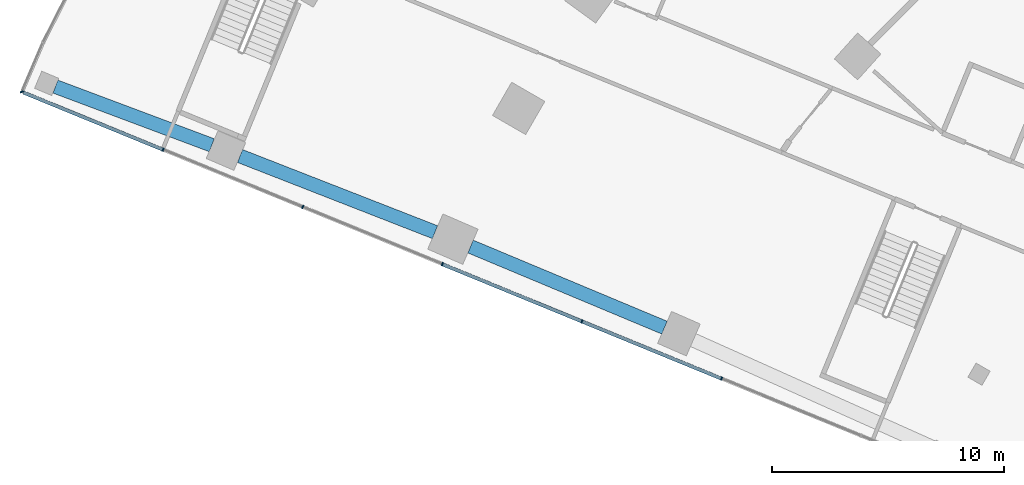
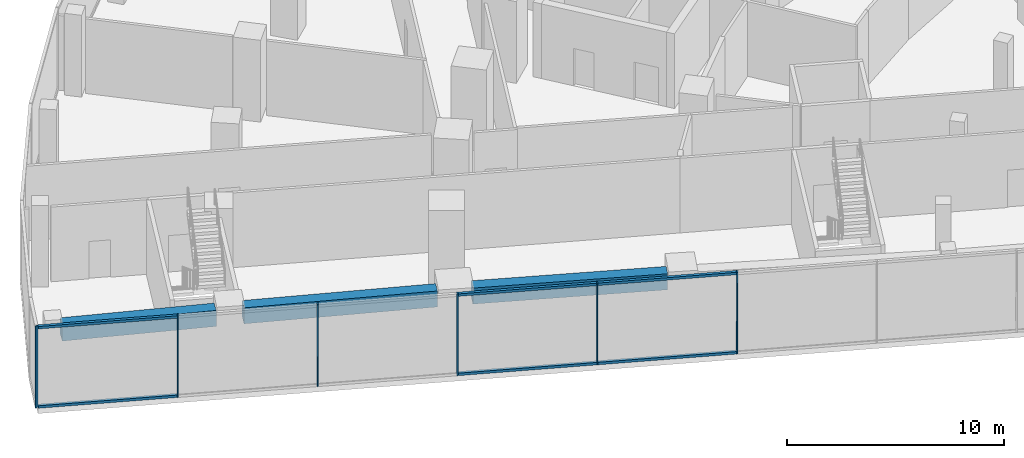
# One storey, part 2 of 40: 12 members, 3 beams, 1 element without a shape of its own.
"""IFC4 building model written with IfcOpenShell, lengths in metres."""

import ifcopenshell
import ifcopenshell.guid

model = None  # the IFC model being written
_history = None  # IfcOwnerHistory: only IFC2X3 demands one
_inside = {}  # id of a spatial element -> (the spatial element, [elements in it])
_under = {}  # id of a project, library or spatial element -> (it, [spatial elements below it])
_declared = {}  # id of a project -> (the project, [libraries it declares])
_typed = {}  # id of a type object -> (the type object, [elements of that type])
_made_of = {}  # id of a material, layer set ... -> (it, [elements and type objects made of it])


def new_model(schema):
    """Start an empty IFC model of exactly this schema.

    Asked for "IFC4X3", IfcOpenShell would pick the latest addendum, in which some entities
    have other attributes; the version numbers below select the first issue.
    IFC2X3 requires an IfcOwnerHistory on every rooted entity: one is made here for all.
    """
    global model, _history
    if schema == "IFC4X3":
        model = ifcopenshell.file(schema_version=(4, 3, 0, 0))
    else:
        model = ifcopenshell.file(schema=schema)
    _inside.clear()
    _under.clear()
    _declared.clear()
    _typed.clear()
    _made_of.clear()
    _history = None
    if model.schema == "IFC2X3":
        org = make("IfcOrganization", Name="unknown")
        user = make(
            "IfcPersonAndOrganization",
            ThePerson=make("IfcPerson", FamilyName="unknown"),
            TheOrganization=org,
        )
        app = make(
            "IfcApplication",
            ApplicationDeveloper=org,
            Version="unknown",
            ApplicationFullName="unknown",
            ApplicationIdentifier="unknown",
        )
        _history = make(
            "IfcOwnerHistory",
            OwningUser=user,
            OwningApplication=app,
            ChangeAction="ADDED",
            CreationDate=0,
        )
    return model


def make(cls, **values):
    """One entity of the class cls with the attributes given. An attribute that is None is left unset."""
    return model.create_entity(
        cls, **{name: value for name, value in values.items() if value is not None}
    )


def rooted(cls, **values):
    """An entity with a GlobalId (a new one), such as an element, a storey or a relation."""
    return make(cls, GlobalId=ifcopenshell.guid.new(), OwnerHistory=_history, **values)


def si_unit(unit_type, name, prefix=None):
    """IfcSIUnit, for example si_unit("LENGTHUNIT", "METRE", prefix="MILLI")."""
    return make("IfcSIUnit", UnitType=unit_type, Prefix=prefix, Name=name)


def assignment(units):
    """IfcUnitAssignment: the units of a project."""
    return None if units is None else make("IfcUnitAssignment", Units=units)


def point(xyz):
    """IfcCartesianPoint."""
    return None if xyz is None else make("IfcCartesianPoint", Coordinates=xyz)


def direction(xyz):
    """IfcDirection."""
    return None if xyz is None else make("IfcDirection", DirectionRatios=xyz)


def frame(location, z_axis=None, x_axis=None):
    """IfcAxis2Placement3D, a coordinate frame: its origin and axes. An axis left out is left unset."""
    return make(
        "IfcAxis2Placement3D",
        Location=point(location),
        Axis=direction(z_axis),
        RefDirection=direction(x_axis),
    )


def frame_2d(location, x_axis=None):
    """IfcAxis2Placement2D, a coordinate frame in the plane: its origin and x axis."""
    return make(
        "IfcAxis2Placement2D", Location=point(location), RefDirection=direction(x_axis)
    )


def origin():
    """The frame at (0, 0, 0) with its axes left unset."""
    return frame((0.0, 0.0, 0.0))


def origin_2d():
    """The frame at (0, 0) in the plane with its x axis left unset."""
    return frame_2d((0.0, 0.0))


def place(relative_to, where):
    """IfcLocalPlacement: puts the frame where relative to a parent placement (None: the world)."""
    return make(
        "IfcLocalPlacement", PlacementRelTo=relative_to, RelativePlacement=where
    )


def context(
    kind, dimensions, precision=None, world=None, true_north=None, identifier=None
):
    """IfcGeometricRepresentationContext, for example the 3D "Model" context."""
    return make(
        "IfcGeometricRepresentationContext",
        ContextIdentifier=identifier,
        ContextType=kind,
        CoordinateSpaceDimension=dimensions,
        Precision=precision,
        WorldCoordinateSystem=world,
        TrueNorth=true_north,
    )


def subcontext(parent, identifier, kind, view, scale=None):
    """IfcGeometricRepresentationSubContext, for example "Body" below "Model"."""
    return make(
        "IfcGeometricRepresentationSubContext",
        ContextIdentifier=identifier,
        ContextType=kind,
        ParentContext=parent,
        TargetScale=scale,
        TargetView=view,
    )


def project(units=None, contexts=None):
    """IfcProject with its units and contexts."""
    return rooted(
        "IfcProject",
        Name="project",
        RepresentationContexts=contexts,
        UnitsInContext=assignment(units),
    )


def spatial(cls, under=None, at=None, **own):
    """A site, building, storey or space (cls), placed at a placement, below another one or the project."""
    s = rooted(cls, ObjectPlacement=at, **own)
    if under is not None:
        _under.setdefault(under.id(), (under, []))[1].append(s)
    return s


def profile(cls, at=None, kind="AREA", **sizes):
    """A parametric profile (cls). Its sizes go by their IFC names, for example OverallWidth=200.0."""
    return make(cls, ProfileType=kind, Position=at, **sizes)


def rectangle(**sizes):
    """IfcRectangleProfileDef."""
    return profile("IfcRectangleProfileDef", **sizes)


def extrude(swept, where, along, depth):
    """IfcExtrudedAreaSolid: the profile swept, set in the frame where, extruded along a direction by depth."""
    return make(
        "IfcExtrudedAreaSolid",
        SweptArea=swept,
        Position=where,
        ExtrudedDirection=direction(along),
        Depth=depth,
    )


def shape(context_of_items, identifier, shape_type, items):
    """IfcShapeRepresentation: the items that make up one representation, for example the "Body"."""
    return make(
        "IfcShapeRepresentation",
        ContextOfItems=context_of_items,
        RepresentationIdentifier=identifier,
        RepresentationType=shape_type,
        Items=items,
    )


def material(Name=None, Category=None):
    """IfcMaterial."""
    return make("IfcMaterial", Name=Name, Category=Category)


def layer(
    of_material, thickness, ventilated=None, Name=None, Category=None, Priority=None
):
    """IfcMaterialLayer: one layer of a wall or slab, of a material (None: an air gap)."""
    return make(
        "IfcMaterialLayer",
        Material=of_material,
        LayerThickness=thickness,
        IsVentilated=ventilated,
        Name=Name,
        Category=Category,
        Priority=Priority,
    )


def layer_set(layers, Name=None):
    """IfcMaterialLayerSet."""
    return make("IfcMaterialLayerSet", MaterialLayers=layers, LayerSetName=Name)


def material_profile(
    of_material, cross_section, Name=None, Category=None, Priority=None
):
    """IfcMaterialProfile: a cross section and its material."""
    return make(
        "IfcMaterialProfile",
        Name=Name,
        Material=of_material,
        Profile=cross_section,
        Priority=Priority,
        Category=Category,
    )


def profile_set(profiles, Name=None, composite=None):
    """IfcMaterialProfileSet."""
    return make(
        "IfcMaterialProfileSet",
        Name=Name,
        MaterialProfiles=profiles,
        CompositeProfile=composite,
    )


def made_of(thing, what):
    """Note that an element or type object is made of a material, layer set ...; save() writes the relation."""
    if what is not None:
        _made_of.setdefault(what.id(), (what, []))[1].append(thing)
    return thing


def type_object(cls, material=None, **own):
    """A type object (cls), such as IfcWallType, which elements share."""
    return made_of(rooted(cls, **own), material)


def element(
    cls,
    number,
    at=None,
    inside=None,
    cuts=None,
    type_object=None,
    material=None,
    context=None,
    identifier="Body",
    shape_type=None,
    held_by="IfcProductDefinitionShape",
    body=None,
    shapes=None,
    **own,
):
    """One element of the class cls, such as IfcWall. Its Tag is "e" and its number.

    at: its placement. inside: the storey or other place that contains it. cuts: it is an
    opening in that element (IfcRelVoidsElement). A single representation is given by context,
    identifier, shape_type and body (its items); several are given by shapes. held_by: the class
    of the entity that holds the representations. save() writes the other relations.
    """
    e = rooted(cls, Tag="e%d" % number, ObjectPlacement=at, **own)
    if body is not None:
        shapes = [shape(context, identifier, shape_type, body)]
    if shapes is not None:
        e.Representation = make(held_by, Representations=shapes)
    if inside is not None:
        _inside.setdefault(inside.id(), (inside, []))[1].append(e)
    if cuts is not None:
        rooted(
            "IfcRelVoidsElement", RelatingBuildingElement=cuts, RelatedOpeningElement=e
        )
    if type_object is not None:
        _typed.setdefault(type_object.id(), (type_object, []))[1].append(e)
    return made_of(e, material)


def aggregate(whole, parts):
    """IfcRelAggregates: a whole, such as a stair, and the parts it consists of."""
    return rooted("IfcRelAggregates", RelatingObject=whole, RelatedObjects=parts)


def save(model, path):
    """Write the relations noted so far, then the file.

    IfcRelAggregates (storeys below a building ...), IfcRelContainedInSpatialStructure (elements
    in a storey), IfcRelDefinesByType, IfcRelAssociatesMaterial and IfcRelDeclares: one each for
    every whole, place, type object, material and project.
    """
    for whole, parts in _under.values():
        aggregate(whole, parts)
    for where, things in _inside.values():
        rooted(
            "IfcRelContainedInSpatialStructure",
            RelatedElements=things,
            RelatingStructure=where,
        )
    for kind, things in _typed.values():
        rooted("IfcRelDefinesByType", RelatedObjects=things, RelatingType=kind)
    for what, things in _made_of.values():
        rooted("IfcRelAssociatesMaterial", RelatedObjects=things, RelatingMaterial=what)
    for by, libraries in _declared.values():
        rooted("IfcRelDeclares", RelatingContext=by, RelatedDefinitions=libraries)
    model.write(path)


model = new_model("IFC4")

# Units and contexts
model_context = context("Model", 3, precision=1e-05, world=origin(), true_north=direction((0.0, 1.0)))
body_context = subcontext(model_context, "Body", "Model", "MODEL_VIEW")
ifc_project = project(units=[si_unit("LENGTHUNIT", "METRE"), si_unit("AREAUNIT", "SQUARE_METRE"), si_unit("VOLUMEUNIT", "CUBIC_METRE"), si_unit("PLANEANGLEUNIT", "RADIAN"), si_unit("MASSUNIT", "GRAM", prefix="KILO")], contexts=[model_context])

# Site, building, storey
site_placement = place(None, origin())
site = spatial("IfcSite", under=ifc_project, at=site_placement, CompositionType="ELEMENT")
building_placement = place(site_placement, origin())
building = spatial("IfcBuilding", under=site, at=building_placement, Name="Stone Belt Terrace Tower", CompositionType="ELEMENT")
storey_placement = place(building_placement, frame((0.0, 0.0, 11.60009765625)))
storey = spatial("IfcBuildingStorey", under=building, at=storey_placement, Name="L02", CompositionType="ELEMENT", Elevation=11.60009765625)

# Curtain wall, members
ifc_material_1 = material(Name="Aluminium 6063-T6 anodised frame", Category="aluminium")
ifc_layer = layer(ifc_material_1, 0.14990234375)
ifc_layer_set = layer_set([ifc_layer], Name="CW-D podium shopfront")
curtain_wall_type = type_object("IfcCurtainWallType", Name="CW-D podium shopfront", PredefinedType="NOTDEFINED", material=ifc_layer_set)
curtain_wall_placement = place(storey_placement, origin())
curtain_wall = element("IfcCurtainWall", 1, at=curtain_wall_placement, inside=storey, type_object=curtain_wall_type, Name="CW-D end face L02", PredefinedType="NOTDEFINED")
ifc_material_profile_1 = material_profile(ifc_material_1, rectangle(XDim=0.14990234375, YDim=0.06005859375, at=origin_2d()), Name="Aluminium 6063-T6 60x150")
ifc_profile_set_1 = profile_set([ifc_material_profile_1], Name="Aluminium 6063-T6 anodised frame")
member_type_1 = type_object("IfcMemberType", Name="CW-D mullion 60 x 150", PredefinedType="MULLION", material=ifc_profile_set_1)
member_1_placement = place(storey_placement, frame((-69.033447265625, 28.213134765625, 0.0), z_axis=(0.0, 0.0, 1.0), x_axis=(0.925309719849, 0.379212239192, 0.0)))
member_1 = element("IfcMember", 2, at=member_1_placement, type_object=member_type_1, Name="CW-D mullion 1", PredefinedType="MULLION", context=body_context, shape_type="SweptSolid", body=[
    extrude(rectangle(XDim=0.14990234375, YDim=0.06005859375, at=origin_2d()), origin(), (0.0, 0.0, 1.0), 4.599853515625),
])
member_2_placement = place(storey_placement, frame((-62.94873046875, 25.71923828125, 0.0), z_axis=(0.0, 0.0, 1.0), x_axis=(0.379243093825, 0.925297074342, 0.0)))
member_2 = element("IfcMember", 3, at=member_2_placement, type_object=member_type_1, Name="CW-D mullion 2", PredefinedType="MULLION", context=body_context, shape_type="SweptSolid", body=[
    extrude(rectangle(XDim=0.14990234375, YDim=0.06005859375, at=origin_2d()), origin(), (0.0, 0.0, 1.0), 4.599853515625),
])
member_3_placement = place(storey_placement, frame((-56.934326171875, 23.254150390625, 0.0), z_axis=(0.0, 0.0, 1.0), x_axis=(0.379243093825, 0.925297074342, 0.0)))
member_3 = element("IfcMember", 4, at=member_3_placement, type_object=member_type_1, Name="CW-D mullion 3", PredefinedType="MULLION", context=body_context, shape_type="SweptSolid", body=[
    extrude(rectangle(XDim=0.14990234375, YDim=0.06005859375, at=origin_2d()), origin(), (0.0, 0.0, 1.0), 4.599853515625),
])
member_4_placement = place(storey_placement, frame((-50.919677734375, 20.7890625, 0.0), z_axis=(0.0, 0.0, 1.0), x_axis=(0.379243093825, 0.925297074342, 0.0)))
member_4 = element("IfcMember", 5, at=member_4_placement, type_object=member_type_1, Name="CW-D mullion 4", PredefinedType="MULLION", context=body_context, shape_type="SweptSolid", body=[
    extrude(rectangle(XDim=0.14990234375, YDim=0.06005859375, at=origin_2d()), origin(), (0.0, 0.0, 1.0), 4.599853515625),
])
member_5_placement = place(storey_placement, frame((-44.9052734375, 18.323974609375, 0.0), z_axis=(0.0, 0.0, 1.0), x_axis=(0.379243093825, 0.925297074342, 0.0)))
member_5 = element("IfcMember", 6, at=member_5_placement, type_object=member_type_1, Name="CW-D mullion 5", PredefinedType="MULLION", context=body_context, shape_type="SweptSolid", body=[
    extrude(rectangle(XDim=0.14990234375, YDim=0.06005859375, at=origin_2d()), origin(), (0.0, 0.0, 1.0), 4.599853515625),
])
member_6_placement = place(storey_placement, frame((-38.890869140625, 15.85888671875, 0.0), z_axis=(0.0, 0.0, 1.0), x_axis=(0.379243093825, 0.925297074342, 0.0)))
member_6 = element("IfcMember", 7, at=member_6_placement, type_object=member_type_1, Name="CW-D mullion 6", PredefinedType="MULLION", context=body_context, shape_type="SweptSolid", body=[
    extrude(rectangle(XDim=0.14990234375, YDim=0.06005859375, at=origin_2d()), origin(), (0.0, 0.0, 1.0), 4.599853515625),
])
ifc_material_profile_2 = material_profile(ifc_material_1, rectangle(XDim=0.14990234375, YDim=0.139892578125, at=origin_2d()), Name="Aluminium 6063-T6 150x140")
ifc_profile_set_2 = profile_set([ifc_material_profile_2], Name="Aluminium 6063-T6 anodised frame")
member_type_2 = type_object("IfcMemberType", Name="CW-D transom 140 x 150", PredefinedType="USERDEFINED", material=ifc_profile_set_2)
member_7_placement = place(storey_placement, frame((-68.964599609375, 28.184814453125, 0.06982421875), z_axis=(0.92529797733, -0.37924089066, 0.0), x_axis=(0.37924089066, 0.92529797733, 0.0)))
member_7 = element("IfcMember", 8, at=member_7_placement, type_object=member_type_2, Name="CW-D transom 1.1", ObjectType="TRANSOM", PredefinedType="USERDEFINED", context=body_context, shape_type="SweptSolid", body=[
    extrude(rectangle(XDim=0.14990234375, YDim=0.139892578125, at=origin_2d()), origin(), (0.0, 0.0, 1.0), 6.4716796875),
])
member_8_placement = place(storey_placement, frame((-68.964599609375, 28.184814453125, 4.52978515625), z_axis=(0.92529797733, -0.37924089066, 0.0), x_axis=(0.37924089066, 0.92529797733, 0.0)))
member_8 = element("IfcMember", 9, at=member_8_placement, type_object=member_type_2, Name="CW-D transom 1.2", ObjectType="TRANSOM", PredefinedType="USERDEFINED", context=body_context, shape_type="SweptSolid", body=[
    extrude(rectangle(XDim=0.14990234375, YDim=0.139892578125, at=origin_2d()), origin(), (0.0, 0.0, 1.0), 6.4716796875),
])
member_9_placement = place(storey_placement, frame((-50.89208984375, 20.777587890625, 0.06982421875), z_axis=(0.925295543226, -0.3792468295, 0.0), x_axis=(0.3792468295, 0.925295543226, 0.0)))
member_9 = element("IfcMember", 10, at=member_9_placement, type_object=member_type_2, Name="CW-D transom 4.1", ObjectType="TRANSOM", PredefinedType="USERDEFINED", context=body_context, shape_type="SweptSolid", body=[
    extrude(rectangle(XDim=0.14990234375, YDim=0.139892578125, at=origin_2d()), origin(), (0.0, 0.0, 1.0), 6.440185546875),
])
member_10_placement = place(storey_placement, frame((-50.89208984375, 20.777587890625, 4.52978515625), z_axis=(0.925295543226, -0.3792468295, 0.0), x_axis=(0.3792468295, 0.925295543226, 0.0)))
member_10 = element("IfcMember", 11, at=member_10_placement, type_object=member_type_2, Name="CW-D transom 4.2", ObjectType="TRANSOM", PredefinedType="USERDEFINED", context=body_context, shape_type="SweptSolid", body=[
    extrude(rectangle(XDim=0.14990234375, YDim=0.139892578125, at=origin_2d()), origin(), (0.0, 0.0, 1.0), 6.440185546875),
])
member_11_placement = place(storey_placement, frame((-44.877685546875, 18.3125, 0.06982421875), z_axis=(0.925295543226, -0.3792468295, 0.0), x_axis=(0.3792468295, 0.925295543226, 0.0)))
member_11 = element("IfcMember", 12, at=member_11_placement, type_object=member_type_2, Name="CW-D transom 5.1", ObjectType="TRANSOM", PredefinedType="USERDEFINED", context=body_context, shape_type="SweptSolid", body=[
    extrude(rectangle(XDim=0.14990234375, YDim=0.139892578125, at=origin_2d()), origin(), (0.0, 0.0, 1.0), 6.440185546875),
])
member_12_placement = place(storey_placement, frame((-44.877685546875, 18.3125, 4.52978515625), z_axis=(0.925295543226, -0.3792468295, 0.0), x_axis=(0.3792468295, 0.925295543226, 0.0)))
member_12 = element("IfcMember", 13, at=member_12_placement, type_object=member_type_2, Name="CW-D transom 5.2", ObjectType="TRANSOM", PredefinedType="USERDEFINED", context=body_context, shape_type="SweptSolid", body=[
    extrude(rectangle(XDim=0.14990234375, YDim=0.139892578125, at=origin_2d()), origin(), (0.0, 0.0, 1.0), 6.440185546875),
])
aggregate(curtain_wall, [member_1, member_2, member_3, member_4, member_5, member_6, member_7, member_8, member_9, member_10, member_11, member_12])

# Beams
ifc_material_2 = material(Name="Concrete B60", Category="concrete")
ifc_material_profile_3 = material_profile(ifc_material_2, rectangle(XDim=0.60009765625, YDim=0.89990234375, at=origin_2d()), Name="RC 600x900")
ifc_profile_set_3 = profile_set([ifc_material_profile_3], Name="Concrete B60")
beam_type = type_object("IfcBeamType", Name="Edge beam RC 600x900 B60", PredefinedType="SPANDREL", material=ifc_profile_set_3)
beam_1_placement = place(storey_placement, frame((-41.35009765625, 18.05517578125, 3.75), z_axis=(-0.922576038767, 0.385815309044, 0.0), x_axis=(-0.385815309044, -0.922576038767, 0.0)))
element("IfcBeam", 14, at=beam_1_placement, inside=storey, type_object=beam_type, Name="Edge beam L02 A P to Q", PredefinedType="SPANDREL", context=body_context, shape_type="SweptSolid", body=[
    extrude(rectangle(XDim=0.60009765625, YDim=0.89990234375, at=origin_2d()), origin(), (0.0, 0.0, 1.0), 9.055908203125),
])
beam_2_placement = place(storey_placement, frame((-51.235107421875, 22.167724609375, 3.75), z_axis=(-0.931488596429, 0.363770524813, 0.0), x_axis=(-0.363770524813, -0.931488596429, 0.0)))
element("IfcBeam", 15, at=beam_2_placement, inside=storey, type_object=beam_type, Name="Edge beam L02 A Q to R", PredefinedType="SPANDREL", context=body_context, shape_type="SweptSolid", body=[
    extrude(rectangle(XDim=0.60009765625, YDim=0.89990234375, at=origin_2d()), origin(), (0.0, 0.0, 1.0), 9.018798828125),
])
beam_3_placement = place(storey_placement, frame((-60.85107421875, 25.913330078125, 3.75), z_axis=(-0.936357063025, 0.351049071389, 0.0), x_axis=(-0.351049071389, -0.936357063025, 0.0)))
element("IfcBeam", 16, at=beam_3_placement, inside=storey, type_object=beam_type, Name="Edge beam L02 A R to S", PredefinedType="SPANDREL", context=body_context, shape_type="SweptSolid", body=[
    extrude(rectangle(XDim=0.60009765625, YDim=0.89990234375, at=origin_2d()), origin(), (0.0, 0.0, 1.0), 7.1953125),
])

save(model, "model.ifc")
